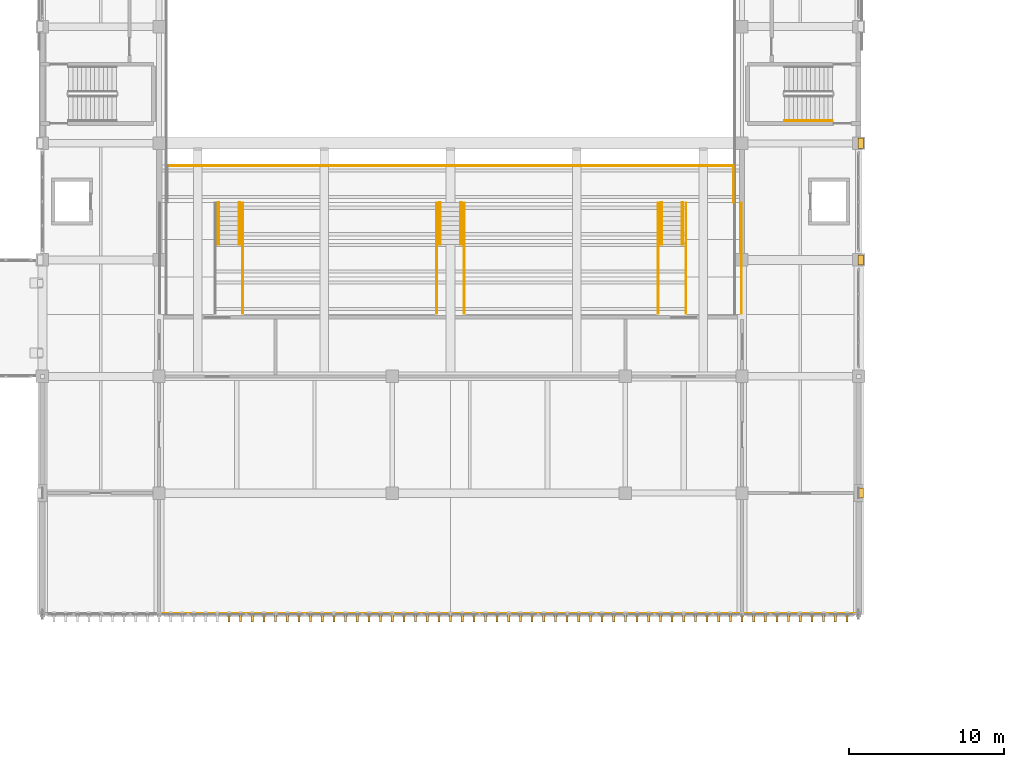
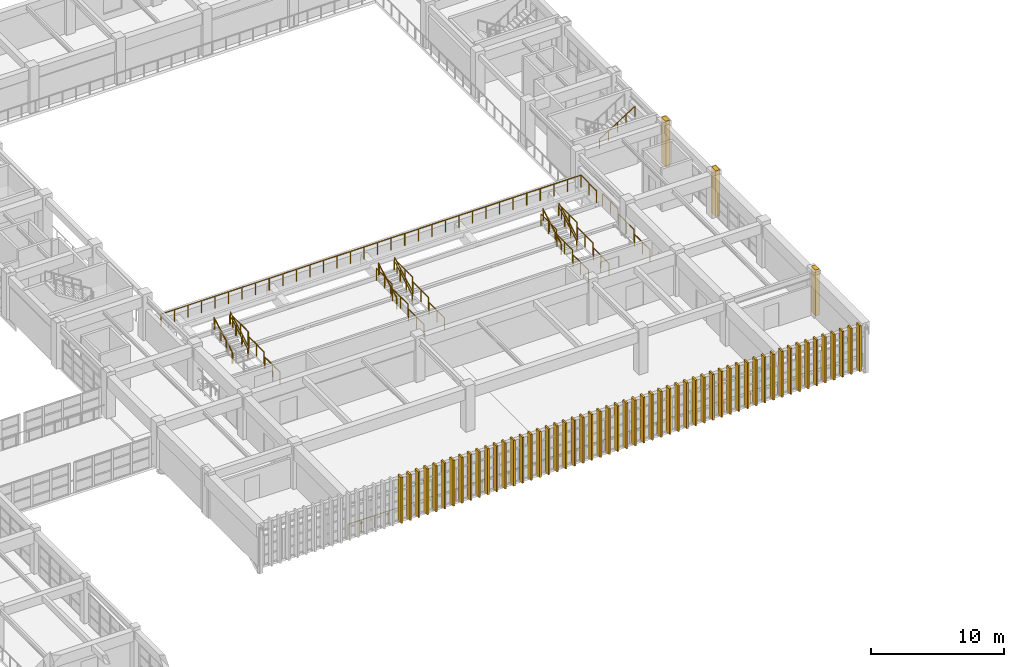
# One storey, part 115 of 124: 57 coverings, 35 railings.
"""IFC4 building model written with IfcOpenShell, lengths in metres."""

from ifc_helpers import new_model, si_unit, direction, frame, origin, origin_2d, place, context, subcontext, project, spatial, rectangle, circle, extrude, material, layer, layer_set, type_object, element, save


model = new_model("IFC4")

# Units and contexts
model_context = context("Model", 3, precision=1e-05, world=origin(), true_north=direction((0.0, 1.0)))
body_context = subcontext(model_context, "Body", "Model", "MODEL_VIEW")
ifc_project = project(units=[si_unit("LENGTHUNIT", "METRE"), si_unit("AREAUNIT", "SQUARE_METRE"), si_unit("VOLUMEUNIT", "CUBIC_METRE"), si_unit("PLANEANGLEUNIT", "RADIAN"), si_unit("MASSUNIT", "GRAM", prefix="KILO")], contexts=[model_context])

# Site, building, storey
site_placement = place(None, origin())
site = spatial("IfcSite", under=ifc_project, at=site_placement, CompositionType="ELEMENT")
building_placement = place(site_placement, origin())
building = spatial("IfcBuilding", under=site, at=building_placement, Name="Qasida Concert Hall", CompositionType="ELEMENT")
storey_placement = place(building_placement, frame((0.0, 0.0, 9.0)))
storey = spatial("IfcBuildingStorey", under=building, at=storey_placement, Name="L02", CompositionType="ELEMENT", Elevation=9.0)

# Coverings
ifc_material_1 = material(Name="Fluted ochre Lebanese limestone and patinated bronze fin", Category="masonry")
ifc_layer_1 = layer(ifc_material_1, 0.52001953125, Name="Fluted ochre Lebanese limestone and patinated bronze fin")
ifc_layer_set_1 = layer_set([ifc_layer_1], Name="Fluted ochre Lebanese limestone and patinated bronze fin")
covering_type_1 = type_object("IfcCoveringType", Name="CV-FIN-520", PredefinedType="CLADDING", material=ifc_layer_set_1)
for number, where, z_axis, x_axis, name in (
    (1, (64.5, 14.4599609375, 0.0), (0.0, 0.0, 1.0), (1.0, 0.0, 0.0), "L02 fluted facade fin FN-016"),
    (2, (65.25, 14.4599609375, 0.0), (0.0, 0.0, 1.0), (1.0, 0.0, 0.0), "L02 fluted facade fin FN-017"),
    (3, (66.0, 14.4599609375, 0.0), (0.0, 0.0, 1.0), (1.0, 0.0, 0.0), "L02 fluted facade fin FN-018"),
    (4, (66.75, 14.4599609375, 0.0), (0.0, 0.0, 1.0), (1.0, 0.0, 0.0), "L02 fluted facade fin FN-019"),
    (5, (67.5, 14.4599609375, 0.0), (0.0, 0.0, 1.0), (1.0, 0.0, 0.0), "L02 fluted facade fin FN-020"),
    (6, (68.25, 14.4599609375, 0.0), (0.0, 0.0, 1.0), (1.0, 0.0, 0.0), "L02 fluted facade fin FN-021"),
    (7, (69.0, 14.4599609375, 0.0), (0.0, 0.0, 1.0), (1.0, 0.0, 0.0), "L02 fluted facade fin FN-022"),
    (8, (69.75, 14.4599609375, 0.0), (0.0, 0.0, 1.0), (1.0, 0.0, 0.0), "L02 fluted facade fin FN-023"),
    (9, (70.5, 14.4599609375, 0.0), (0.0, 0.0, 1.0), (1.0, 0.0, 0.0), "L02 fluted facade fin FN-024"),
    (10, (71.25, 14.4599609375, 0.0), (0.0, 0.0, 1.0), (1.0, 0.0, 0.0), "L02 fluted facade fin FN-025"),
    (11, (72.0, 14.4599609375, 0.0), (0.0, 0.0, 1.0), (1.0, 0.0, 0.0), "L02 fluted facade fin FN-026"),
    (12, (72.75, 14.4599609375, 0.0), (0.0, 0.0, 1.0), (1.0, 0.0, 0.0), "L02 fluted facade fin FN-027"),
    (13, (73.5, 14.4599609375, 0.0), (0.0, 0.0, 1.0), (1.0, 0.0, 0.0), "L02 fluted facade fin FN-028"),
    (14, (74.25, 14.4599609375, 0.0), (0.0, 0.0, 1.0), (1.0, 0.0, 0.0), "L02 fluted facade fin FN-029"),
    (15, (75.0, 14.4599609375, 0.0), (0.0, 0.0, 1.0), (1.0, 0.0, 0.0), "L02 fluted facade fin FN-030"),
    (16, (75.75, 14.4599609375, 0.0), (0.0, 0.0, 1.0), (1.0, 0.0, 0.0), "L02 fluted facade fin FN-031"),
    (17, (76.5, 14.4599609375, 0.0), (0.0, 0.0, 1.0), (1.0, 0.0, 0.0), "L02 fluted facade fin FN-032"),
    (18, (77.25, 14.4599609375, 0.0), (0.0, 0.0, 1.0), (1.0, 0.0, 0.0), "L02 fluted facade fin FN-033"),
    (19, (78.0, 14.4599609375, 0.0), (0.0, 0.0, 1.0), (1.0, 0.0, 0.0), "L02 fluted facade fin FN-034"),
    (20, (78.75, 14.4599609375, 0.0), (0.0, 0.0, 1.0), (1.0, 0.0, 0.0), "L02 fluted facade fin FN-035"),
    (21, (79.5, 14.4599609375, 0.0), (0.0, 0.0, 1.0), (1.0, 0.0, 0.0), "L02 fluted facade fin FN-036"),
    (22, (80.25, 14.4599609375, 0.0), (0.0, 0.0, 1.0), (1.0, 0.0, 0.0), "L02 fluted facade fin FN-037"),
    (23, (81.0, 14.4599609375, 0.0), (0.0, 0.0, 1.0), (1.0, 0.0, 0.0), "L02 fluted facade fin FN-038"),
    (24, (81.75, 14.4599609375, 0.0), (0.0, 0.0, 1.0), (1.0, 0.0, 0.0), "L02 fluted facade fin FN-039"),
    (25, (82.5, 14.4599609375, 0.0), (0.0, 0.0, 1.0), (1.0, 0.0, 0.0), "L02 fluted facade fin FN-040"),
    (26, (83.25, 14.4599609375, 0.0), (0.0, 0.0, 1.0), (1.0, 0.0, 0.0), "L02 fluted facade fin FN-041"),
    (27, (84.0, 14.4599609375, 0.0), (0.0, 0.0, 1.0), (1.0, 0.0, 0.0), "L02 fluted facade fin FN-042"),
    (28, (84.75, 14.4599609375, 0.0), (0.0, 0.0, 1.0), (1.0, 0.0, 0.0), "L02 fluted facade fin FN-043"),
    (29, (85.5, 14.4599609375, 0.0), (0.0, 0.0, 1.0), (1.0, 0.0, 0.0), "L02 fluted facade fin FN-044"),
    (30, (86.25, 14.4599609375, 0.0), (0.0, 0.0, 1.0), (1.0, 0.0, 0.0), "L02 fluted facade fin FN-045"),
    (31, (87.0, 14.4599609375, 0.0), (0.0, 0.0, 1.0), (1.0, 0.0, 0.0), "L02 fluted facade fin FN-046"),
    (32, (87.75, 14.4599609375, 0.0), (0.0, 0.0, 1.0), (1.0, 0.0, 0.0), "L02 fluted facade fin FN-047"),
    (33, (88.5, 14.4599609375, 0.0), (0.0, 0.0, 1.0), (1.0, 0.0, 0.0), "L02 fluted facade fin FN-048"),
    (34, (89.25, 14.4599609375, 0.0), (0.0, 0.0, 1.0), (1.0, 0.0, 0.0), "L02 fluted facade fin FN-049"),
    (35, (90.0, 14.4599609375, 0.0), (0.0, 0.0, 1.0), (1.0, 0.0, 0.0), "L02 fluted facade fin FN-050"),
    (36, (90.75, 14.4599609375, 0.0), (0.0, 0.0, 1.0), (1.0, 0.0, 0.0), "L02 fluted facade fin FN-051"),
    (37, (91.5, 14.4599609375, 0.0), (0.0, 0.0, 1.0), (1.0, 0.0, 0.0), "L02 fluted facade fin FN-052"),
    (38, (92.25, 14.4599609375, 0.0), (0.0, 0.0, 1.0), (1.0, 0.0, 0.0), "L02 fluted facade fin FN-053"),
    (39, (93.0, 14.4599609375, 0.0), (0.0, 0.0, 1.0), (1.0, 0.0, 0.0), "L02 fluted facade fin FN-054"),
    (40, (93.75, 14.4599609375, 0.0), (0.0, 0.0, 1.0), (1.0, 0.0, 0.0), "L02 fluted facade fin FN-055"),
    (41, (94.5, 14.4599609375, 0.0), (0.0, 0.0, 1.0), (1.0, 0.0, 0.0), "L02 fluted facade fin FN-056"),
    (42, (95.25, 14.4599609375, 0.0), (0.0, 0.0, 1.0), (1.0, 0.0, 0.0), "L02 fluted facade fin FN-057"),
    (43, (96.0, 14.4599609375, 0.0), (0.0, 0.0, 1.0), (1.0, 0.0, 0.0), "L02 fluted facade fin FN-058"),
    (44, (96.75, 14.4599609375, 0.0), (0.0, 0.0, 1.0), (1.0, 0.0, 0.0), "L02 fluted facade fin FN-059"),
    (45, (97.5, 14.4599609375, 0.0), (0.0, 0.0, 1.0), (1.0, 0.0, 0.0), "L02 fluted facade fin FN-060"),
    (46, (98.25, 14.4599609375, 0.0), (0.0, 0.0, 1.0), (1.0, 0.0, 0.0), "L02 fluted facade fin FN-061"),
    (47, (99.0, 14.4599609375, 0.0), (0.0, 0.0, 1.0), (1.0, 0.0, 0.0), "L02 fluted facade fin FN-062"),
    (48, (99.75, 14.4599609375, 0.0), (0.0, 0.0, 1.0), (1.0, 0.0, 0.0), "L02 fluted facade fin FN-063"),
    (49, (100.5, 14.4599609375, 0.0), (0.0, 0.0, 1.0), (1.0, 0.0, 0.0), "L02 fluted facade fin FN-064"),
    (50, (101.25, 14.4599609375, 0.0), (0.0, 0.0, 1.0), (1.0, 0.0, 0.0), "L02 fluted facade fin FN-065"),
    (51, (102.0, 14.4599609375, 0.0), (0.0, 0.0, 1.0), (1.0, 0.0, 0.0), "L02 fluted facade fin FN-066"),
    (52, (102.75, 14.4599609375, 0.0), (0.0, 0.0, 1.0), (1.0, 0.0, 0.0), "L02 fluted facade fin FN-067"),
    (53, (103.5, 14.4599609375, 0.0), (0.0, 0.0, 1.0), (1.0, 0.0, 0.0), "L02 fluted facade fin FN-068"),
    (54, (104.25, 14.4599609375, 0.0), (0.0, 0.0, 1.0), (1.0, 0.0, 0.0), "L02 fluted facade fin FN-069"),
):
    element("IfcCovering", number, at=place(storey_placement, frame(where, z_axis=z_axis, x_axis=x_axis)), inside=storey, type_object=covering_type_1, Name=name, PredefinedType="CLADDING", context=body_context, shape_type="SweptSolid", body=[
        extrude(rectangle(XDim=0.139892578125, YDim=0.52001953125, at=origin_2d()), origin(), (0.0, 0.0, 1.0), 4.199951171875),
    ])
ifc_material_2 = material(Name="Projecting fluted Lebanese limestone Art Deco pilaster", Category="masonry")
ifc_layer_2 = layer(ifc_material_2, 0.35009765625, Name="Projecting fluted Lebanese limestone Art Deco pilaster")
ifc_layer_set_2 = layer_set([ifc_layer_2], Name="Projecting fluted Lebanese limestone Art Deco pilaster")
covering_type_2 = type_object("IfcCoveringType", Name="CV-PIL-650", PredefinedType="CLADDING", material=ifc_layer_set_2)
for number, where, z_axis, x_axis, name in (
    (55, (105.135009765625, 22.5, 0.0), (0.0, 0.0, 1.0), (1.0, 0.0, 0.0), "L02 fluted limestone pilaster 0010"),
    (56, (105.135009765625, 37.5, 0.0), (0.0, 0.0, 1.0), (1.0, 0.0, 0.0), "L02 fluted limestone pilaster 0024"),
    (57, (105.135009765625, 45.0, 0.0), (0.0, 0.0, 1.0), (1.0, 0.0, 0.0), "L02 fluted limestone pilaster 0038"),
):
    element("IfcCovering", number, at=place(storey_placement, frame(where, z_axis=z_axis, x_axis=x_axis)), inside=storey, type_object=covering_type_2, Name=name, PredefinedType="CLADDING", context=body_context, shape_type="SweptSolid", body=[
        extrude(rectangle(XDim=0.35009765625, YDim=0.64990234375, at=origin_2d()), origin(), (0.0, 0.0, 1.0), 4.199951171875),
    ])

# Railings
ifc_material_3 = material(Name="Carved Lebanese limestone and bronze top rail", Category="masonry")
ifc_layer_3 = layer(ifc_material_3, 0.10009765625, Name="Carved Lebanese limestone and bronze top rail")
ifc_layer_set_3 = layer_set([ifc_layer_3], Name="Carved Lebanese limestone and bronze top rail")
railing_type_1 = type_object("IfcRailingType", Name="RL-BAL-1100", PredefinedType="BALUSTRADE", material=ifc_layer_set_3)
railing_1_placement = place(storey_placement, frame((60.5400390625, 43.56005859375, 1.64990234375)))
element("IfcRailing", 58, at=railing_1_placement, inside=storey, type_object=railing_type_1, Name="L02 Symphony first balcony front rail 0062", PredefinedType="BALUSTRADE", context=body_context, shape_type="SweptSolid", body=[
    extrude(circle(Radius=0.02392578125, at=origin_2d()), frame((0.0, 0.0, 1.09619140625), z_axis=(1.0, 0.0, 0.0), x_axis=(0.0, 1.0, 0.0)), (0.0, 0.0, 1.0), 36.419921875),
    extrude(circle(Radius=0.02099609375, at=origin_2d()), origin(), (0.0, 0.0, 1.0), 1.072021484375),
    extrude(circle(Radius=0.02099609375, at=origin_2d()), frame((1.1748046875, 0.0, 0.0)), (0.0, 0.0, 1.0), 1.072021484375),
    extrude(circle(Radius=0.02099609375, at=origin_2d()), frame((2.349609375, 0.0, 0.0)), (0.0, 0.0, 1.0), 1.072021484375),
    extrude(circle(Radius=0.02099609375, at=origin_2d()), frame((3.5244140625, 0.0, 0.0)), (0.0, 0.0, 1.0), 1.072021484375),
    extrude(circle(Radius=0.02099609375, at=origin_2d()), frame((4.699462890625, 0.0, 0.0)), (0.0, 0.0, 1.0), 1.072021484375),
    extrude(circle(Radius=0.02099609375, at=origin_2d()), frame((5.874267578125, 0.0, 0.0)), (0.0, 0.0, 1.0), 1.072021484375),
    extrude(circle(Radius=0.02099609375, at=origin_2d()), frame((7.049072265625, 0.0, 0.0)), (0.0, 0.0, 1.0), 1.072021484375),
    extrude(circle(Radius=0.02099609375, at=origin_2d()), frame((8.223876953125, 0.0, 0.0)), (0.0, 0.0, 1.0), 1.072021484375),
    extrude(circle(Radius=0.02099609375, at=origin_2d()), frame((9.398681640625, 0.0, 0.0)), (0.0, 0.0, 1.0), 1.072021484375),
    extrude(circle(Radius=0.02099609375, at=origin_2d()), frame((10.573486328125, 0.0, 0.0)), (0.0, 0.0, 1.0), 1.072021484375),
    extrude(circle(Radius=0.02099609375, at=origin_2d()), frame((11.748291015625, 0.0, 0.0)), (0.0, 0.0, 1.0), 1.072021484375),
    extrude(circle(Radius=0.02099609375, at=origin_2d()), frame((12.923095703125, 0.0, 0.0)), (0.0, 0.0, 1.0), 1.072021484375),
    extrude(circle(Radius=0.02099609375, at=origin_2d()), frame((14.09814453125, 0.0, 0.0)), (0.0, 0.0, 1.0), 1.072021484375),
    extrude(circle(Radius=0.02099609375, at=origin_2d()), frame((15.27294921875, 0.0, 0.0)), (0.0, 0.0, 1.0), 1.072021484375),
    extrude(circle(Radius=0.02099609375, at=origin_2d()), frame((16.44775390625, 0.0, 0.0)), (0.0, 0.0, 1.0), 1.072021484375),
    extrude(circle(Radius=0.02099609375, at=origin_2d()), frame((17.62255859375, 0.0, 0.0)), (0.0, 0.0, 1.0), 1.072021484375),
    extrude(circle(Radius=0.02099609375, at=origin_2d()), frame((18.79736328125, 0.0, 0.0)), (0.0, 0.0, 1.0), 1.072021484375),
    extrude(circle(Radius=0.02099609375, at=origin_2d()), frame((19.97216796875, 0.0, 0.0)), (0.0, 0.0, 1.0), 1.072021484375),
    extrude(circle(Radius=0.02099609375, at=origin_2d()), frame((21.14697265625, 0.0, 0.0)), (0.0, 0.0, 1.0), 1.072021484375),
    extrude(circle(Radius=0.02099609375, at=origin_2d()), frame((22.32177734375, 0.0, 0.0)), (0.0, 0.0, 1.0), 1.072021484375),
    extrude(circle(Radius=0.02099609375, at=origin_2d()), frame((23.496826171875, 0.0, 0.0)), (0.0, 0.0, 1.0), 1.072021484375),
    extrude(circle(Radius=0.02099609375, at=origin_2d()), frame((24.671630859375, 0.0, 0.0)), (0.0, 0.0, 1.0), 1.072021484375),
    extrude(circle(Radius=0.02099609375, at=origin_2d()), frame((25.846435546875, 0.0, 0.0)), (0.0, 0.0, 1.0), 1.072021484375),
    extrude(circle(Radius=0.02099609375, at=origin_2d()), frame((27.021240234375, 0.0, 0.0)), (0.0, 0.0, 1.0), 1.072021484375),
    extrude(circle(Radius=0.02099609375, at=origin_2d()), frame((28.196044921875, 0.0, 0.0)), (0.0, 0.0, 1.0), 1.072021484375),
    extrude(circle(Radius=0.02099609375, at=origin_2d()), frame((29.370849609375, 0.0, 0.0)), (0.0, 0.0, 1.0), 1.072021484375),
    extrude(circle(Radius=0.02099609375, at=origin_2d()), frame((30.545654296875, 0.0, 0.0)), (0.0, 0.0, 1.0), 1.072021484375),
    extrude(circle(Radius=0.02099609375, at=origin_2d()), frame((31.720458984375, 0.0, 0.0)), (0.0, 0.0, 1.0), 1.072021484375),
    extrude(circle(Radius=0.02099609375, at=origin_2d()), frame((32.8955078125, 0.0, 0.0)), (0.0, 0.0, 1.0), 1.072021484375),
    extrude(circle(Radius=0.02099609375, at=origin_2d()), frame((34.0703125, 0.0, 0.0)), (0.0, 0.0, 1.0), 1.072021484375),
    extrude(circle(Radius=0.02099609375, at=origin_2d()), frame((35.2451171875, 0.0, 0.0)), (0.0, 0.0, 1.0), 1.072021484375),
    extrude(circle(Radius=0.02099609375, at=origin_2d()), frame((36.419921875, 0.0, 0.0)), (0.0, 0.0, 1.0), 1.072021484375),
])
railing_2_placement = place(storey_placement, frame((96.9599609375, 43.56005859375, 1.64990234375)))
element("IfcRailing", 59, at=railing_2_placement, inside=storey, type_object=railing_type_1, Name="L02 Symphony first balcony front rail 0063", PredefinedType="BALUSTRADE", context=body_context, shape_type="SweptSolid", body=[
    extrude(circle(Radius=0.02392578125, at=origin_2d()), frame((0.0, 0.0, 1.09619140625), z_axis=(0.0, -1.0, 0.0), x_axis=(1.0, 0.0, 0.0)), (0.0, 0.0, 1.0), 2.360107421875),
    extrude(circle(Radius=0.02099609375, at=origin_2d()), origin(), (0.0, 0.0, 1.0), 1.072021484375),
    extrude(circle(Radius=0.02099609375, at=origin_2d()), frame((0.0, -1.18017578125, 0.0)), (0.0, 0.0, 1.0), 1.072021484375),
    extrude(circle(Radius=0.02099609375, at=origin_2d()), frame((0.0, -2.360107421875, 0.0)), (0.0, 0.0, 1.0), 1.072021484375),
])
ifc_material_4 = material(Name="Patinated architectural bronze and laminated glass infill", Category="glass")
ifc_layer_4 = layer(ifc_material_4, 0.080078125, Name="Patinated architectural bronze and laminated glass infill")
ifc_layer_set_4 = layer_set([ifc_layer_4], Name="Patinated architectural bronze and laminated glass infill")
railing_type_2 = type_object("IfcRailingType", Name="RL-GRD-1100", PredefinedType="GUARDRAIL", material=ifc_layer_set_4)
railing_3_placement = place(storey_placement, frame((60.1201171875, 14.760009765625, 0.0)))
element("IfcRailing", 60, at=railing_3_placement, inside=storey, type_object=railing_type_2, Name="L02 South overhang central foyer guard 0015", PredefinedType="GUARDRAIL", context=body_context, shape_type="SweptSolid", body=[
    extrude(circle(Radius=0.02392578125, at=origin_2d()), frame((0.0, 0.0, 1.09619140625), z_axis=(1.0, 0.0, 0.0), x_axis=(0.0, 1.0, 0.0)), (0.0, 0.0, 1.0), 37.259765625),
    extrude(circle(Radius=0.02099609375, at=origin_2d()), origin(), (0.0, 0.0, 1.0), 1.072021484375),
    extrude(circle(Radius=0.02099609375, at=origin_2d()), frame((1.164306640625, 0.0, 0.0)), (0.0, 0.0, 1.0), 1.072021484375),
    extrude(circle(Radius=0.02099609375, at=origin_2d()), frame((2.32861328125, 0.0, 0.0)), (0.0, 0.0, 1.0), 1.072021484375),
    extrude(circle(Radius=0.02099609375, at=origin_2d()), frame((3.4931640625, 0.0, 0.0)), (0.0, 0.0, 1.0), 1.072021484375),
    extrude(circle(Radius=0.02099609375, at=origin_2d()), frame((4.657470703125, 0.0, 0.0)), (0.0, 0.0, 1.0), 1.072021484375),
    extrude(circle(Radius=0.02099609375, at=origin_2d()), frame((5.82177734375, 0.0, 0.0)), (0.0, 0.0, 1.0), 1.072021484375),
    extrude(circle(Radius=0.02099609375, at=origin_2d()), frame((6.986328125, 0.0, 0.0)), (0.0, 0.0, 1.0), 1.072021484375),
    extrude(circle(Radius=0.02099609375, at=origin_2d()), frame((8.150634765625, 0.0, 0.0)), (0.0, 0.0, 1.0), 1.072021484375),
    extrude(circle(Radius=0.02099609375, at=origin_2d()), frame((9.31494140625, 0.0, 0.0)), (0.0, 0.0, 1.0), 1.072021484375),
    extrude(circle(Radius=0.02099609375, at=origin_2d()), frame((10.479248046875, 0.0, 0.0)), (0.0, 0.0, 1.0), 1.072021484375),
    extrude(circle(Radius=0.02099609375, at=origin_2d()), frame((11.6435546875, 0.0, 0.0)), (0.0, 0.0, 1.0), 1.072021484375),
    extrude(circle(Radius=0.02099609375, at=origin_2d()), frame((12.80810546875, 0.0, 0.0)), (0.0, 0.0, 1.0), 1.072021484375),
    extrude(circle(Radius=0.02099609375, at=origin_2d()), frame((13.972412109375, 0.0, 0.0)), (0.0, 0.0, 1.0), 1.072021484375),
    extrude(circle(Radius=0.02099609375, at=origin_2d()), frame((15.13671875, 0.0, 0.0)), (0.0, 0.0, 1.0), 1.072021484375),
    extrude(circle(Radius=0.02099609375, at=origin_2d()), frame((16.30126953125, 0.0, 0.0)), (0.0, 0.0, 1.0), 1.072021484375),
    extrude(circle(Radius=0.02099609375, at=origin_2d()), frame((17.465576171875, 0.0, 0.0)), (0.0, 0.0, 1.0), 1.072021484375),
    extrude(circle(Radius=0.02099609375, at=origin_2d()), frame((18.6298828125, 0.0, 0.0)), (0.0, 0.0, 1.0), 1.072021484375),
    extrude(circle(Radius=0.02099609375, at=origin_2d()), frame((19.794189453125, 0.0, 0.0)), (0.0, 0.0, 1.0), 1.072021484375),
    extrude(circle(Radius=0.02099609375, at=origin_2d()), frame((20.95849609375, 0.0, 0.0)), (0.0, 0.0, 1.0), 1.072021484375),
    extrude(circle(Radius=0.02099609375, at=origin_2d()), frame((22.123046875, 0.0, 0.0)), (0.0, 0.0, 1.0), 1.072021484375),
    extrude(circle(Radius=0.02099609375, at=origin_2d()), frame((23.287353515625, 0.0, 0.0)), (0.0, 0.0, 1.0), 1.072021484375),
    extrude(circle(Radius=0.02099609375, at=origin_2d()), frame((24.45166015625, 0.0, 0.0)), (0.0, 0.0, 1.0), 1.072021484375),
    extrude(circle(Radius=0.02099609375, at=origin_2d()), frame((25.6162109375, 0.0, 0.0)), (0.0, 0.0, 1.0), 1.072021484375),
    extrude(circle(Radius=0.02099609375, at=origin_2d()), frame((26.780517578125, 0.0, 0.0)), (0.0, 0.0, 1.0), 1.072021484375),
    extrude(circle(Radius=0.02099609375, at=origin_2d()), frame((27.94482421875, 0.0, 0.0)), (0.0, 0.0, 1.0), 1.072021484375),
    extrude(circle(Radius=0.02099609375, at=origin_2d()), frame((29.109130859375, 0.0, 0.0)), (0.0, 0.0, 1.0), 1.072021484375),
    extrude(circle(Radius=0.02099609375, at=origin_2d()), frame((30.2734375, 0.0, 0.0)), (0.0, 0.0, 1.0), 1.072021484375),
    extrude(circle(Radius=0.02099609375, at=origin_2d()), frame((31.43798828125, 0.0, 0.0)), (0.0, 0.0, 1.0), 1.072021484375),
    extrude(circle(Radius=0.02099609375, at=origin_2d()), frame((32.602294921875, 0.0, 0.0)), (0.0, 0.0, 1.0), 1.072021484375),
    extrude(circle(Radius=0.02099609375, at=origin_2d()), frame((33.7666015625, 0.0, 0.0)), (0.0, 0.0, 1.0), 1.072021484375),
    extrude(circle(Radius=0.02099609375, at=origin_2d()), frame((34.93115234375, 0.0, 0.0)), (0.0, 0.0, 1.0), 1.072021484375),
    extrude(circle(Radius=0.02099609375, at=origin_2d()), frame((36.095458984375, 0.0, 0.0)), (0.0, 0.0, 1.0), 1.072021484375),
    extrude(circle(Radius=0.02099609375, at=origin_2d()), frame((37.259765625, 0.0, 0.0)), (0.0, 0.0, 1.0), 1.072021484375),
])
railing_4_placement = place(storey_placement, frame((97.6201171875, 14.760009765625, 0.0)))
element("IfcRailing", 61, at=railing_4_placement, inside=storey, type_object=railing_type_2, Name="L02 South overhang east foyer guard 0016", PredefinedType="GUARDRAIL", context=body_context, shape_type="SweptSolid", body=[
    extrude(circle(Radius=0.02392578125, at=origin_2d()), frame((0.0, 0.0, 1.09619140625), z_axis=(1.0, 0.0, 0.0), x_axis=(0.0, 1.0, 0.0)), (0.0, 0.0, 1.0), 7.179931640625),
    extrude(circle(Radius=0.02099609375, at=origin_2d()), origin(), (0.0, 0.0, 1.0), 1.072021484375),
    extrude(circle(Radius=0.02099609375, at=origin_2d()), frame((1.19677734375, 0.0, 0.0)), (0.0, 0.0, 1.0), 1.072021484375),
    extrude(circle(Radius=0.02099609375, at=origin_2d()), frame((2.393310546875, 0.0, 0.0)), (0.0, 0.0, 1.0), 1.072021484375),
    extrude(circle(Radius=0.02099609375, at=origin_2d()), frame((3.58984375, 0.0, 0.0)), (0.0, 0.0, 1.0), 1.072021484375),
    extrude(circle(Radius=0.02099609375, at=origin_2d()), frame((4.78662109375, 0.0, 0.0)), (0.0, 0.0, 1.0), 1.072021484375),
    extrude(circle(Radius=0.02099609375, at=origin_2d()), frame((5.9833984375, 0.0, 0.0)), (0.0, 0.0, 1.0), 1.072021484375),
    extrude(circle(Radius=0.02099609375, at=origin_2d()), frame((7.179931640625, 0.0, 0.0)), (0.0, 0.0, 1.0), 1.072021484375),
])
for number, where, name in (
    (62, (65.389892578125, 34.0400390625, 0.41259765625), "L02 L02 tier side guard 0070"),
    (63, (77.860107421875, 34.0400390625, 0.41259765625), "L02 L02 tier side guard 0071"),
    (64, (65.389892578125, 36.43994140625, 0.824951171875), "L02 L02 tier side guard 0072"),
    (65, (77.860107421875, 36.43994140625, 0.824951171875), "L02 L02 tier side guard 0073"),
):
    element("IfcRailing", number, at=place(storey_placement, frame(where)), inside=storey, type_object=railing_type_2, Name=name, PredefinedType="GUARDRAIL", context=body_context, shape_type="SweptSolid", body=[
        extrude(circle(Radius=0.02392578125, at=origin_2d()), frame((0.0, 0.0, 1.09619140625), z_axis=(0.0, 1.0, 0.0), x_axis=(-1.0, 0.0, 0.0)), (0.0, 0.0, 1.0), 2.320068359375),
        extrude(circle(Radius=0.02099609375, at=origin_2d()), origin(), (0.0, 0.0, 1.0), 1.072021484375),
        extrude(circle(Radius=0.02099609375, at=origin_2d()), frame((0.0, 1.16015625, 0.0)), (0.0, 0.0, 1.0), 1.072021484375),
        extrude(circle(Radius=0.02099609375, at=origin_2d()), frame((0.0, 2.320068359375, 0.0)), (0.0, 0.0, 1.0), 1.072021484375),
    ])
for number, where, name in (
    (66, (65.389892578125, 38.840087890625, 1.237548828125), "L02 L02 tier side guard 0074"),
    (67, (77.860107421875, 38.840087890625, 1.237548828125), "L02 L02 tier side guard 0075"),
):
    element("IfcRailing", number, at=place(storey_placement, frame(where)), inside=storey, type_object=railing_type_2, Name=name, PredefinedType="GUARDRAIL", context=body_context, shape_type="SweptSolid", body=[
        extrude(circle(Radius=0.02392578125, at=origin_2d()), frame((0.0, 0.0, 1.09619140625), z_axis=(0.0, 1.0, 0.0), x_axis=(-1.0, 0.0, 0.0)), (0.0, 0.0, 1.0), 2.31982421875),
        extrude(circle(Radius=0.02099609375, at=origin_2d()), origin(), (0.0, 0.0, 1.0), 1.072021484375),
        extrude(circle(Radius=0.02099609375, at=origin_2d()), frame((0.0, 1.159912109375, 0.0)), (0.0, 0.0, 1.0), 1.072021484375),
        extrude(circle(Radius=0.02099609375, at=origin_2d()), frame((0.0, 2.31982421875, 0.0)), (0.0, 0.0, 1.0), 1.072021484375),
    ])
for number, where, name in (
    (68, (79.639892578125, 34.0400390625, 0.41259765625), "L02 L02 tier side guard 0076"),
    (69, (92.110107421875, 34.0400390625, 0.41259765625), "L02 L02 tier side guard 0077"),
    (70, (79.639892578125, 36.43994140625, 0.824951171875), "L02 L02 tier side guard 0078"),
    (71, (92.110107421875, 36.43994140625, 0.824951171875), "L02 L02 tier side guard 0079"),
):
    element("IfcRailing", number, at=place(storey_placement, frame(where)), inside=storey, type_object=railing_type_2, Name=name, PredefinedType="GUARDRAIL", context=body_context, shape_type="SweptSolid", body=[
        extrude(circle(Radius=0.02392578125, at=origin_2d()), frame((0.0, 0.0, 1.09619140625), z_axis=(0.0, 1.0, 0.0), x_axis=(-1.0, 0.0, 0.0)), (0.0, 0.0, 1.0), 2.320068359375),
        extrude(circle(Radius=0.02099609375, at=origin_2d()), origin(), (0.0, 0.0, 1.0), 1.072021484375),
        extrude(circle(Radius=0.02099609375, at=origin_2d()), frame((0.0, 1.16015625, 0.0)), (0.0, 0.0, 1.0), 1.072021484375),
        extrude(circle(Radius=0.02099609375, at=origin_2d()), frame((0.0, 2.320068359375, 0.0)), (0.0, 0.0, 1.0), 1.072021484375),
    ])
for number, where, name in (
    (72, (79.639892578125, 38.840087890625, 1.237548828125), "L02 L02 tier side guard 0080"),
    (73, (92.110107421875, 38.840087890625, 1.237548828125), "L02 L02 tier side guard 0081"),
):
    element("IfcRailing", number, at=place(storey_placement, frame(where)), inside=storey, type_object=railing_type_2, Name=name, PredefinedType="GUARDRAIL", context=body_context, shape_type="SweptSolid", body=[
        extrude(circle(Radius=0.02392578125, at=origin_2d()), frame((0.0, 0.0, 1.09619140625), z_axis=(0.0, 1.0, 0.0), x_axis=(-1.0, 0.0, 0.0)), (0.0, 0.0, 1.0), 2.31982421875),
        extrude(circle(Radius=0.02099609375, at=origin_2d()), origin(), (0.0, 0.0, 1.0), 1.072021484375),
        extrude(circle(Radius=0.02099609375, at=origin_2d()), frame((0.0, 1.159912109375, 0.0)), (0.0, 0.0, 1.0), 1.072021484375),
        extrude(circle(Radius=0.02099609375, at=origin_2d()), frame((0.0, 2.31982421875, 0.0)), (0.0, 0.0, 1.0), 1.072021484375),
    ])
for number, where, name in (
    (74, (93.889892578125, 34.0400390625, 0.41259765625), "L02 L02 tier side guard 0082"),
    (75, (97.4599609375, 34.0400390625, 0.41259765625), "L02 L02 tier side guard 0083"),
    (76, (93.889892578125, 36.43994140625, 0.824951171875), "L02 L02 tier side guard 0084"),
    (77, (97.4599609375, 36.43994140625, 0.824951171875), "L02 L02 tier side guard 0085"),
):
    element("IfcRailing", number, at=place(storey_placement, frame(where)), inside=storey, type_object=railing_type_2, Name=name, PredefinedType="GUARDRAIL", context=body_context, shape_type="SweptSolid", body=[
        extrude(circle(Radius=0.02392578125, at=origin_2d()), frame((0.0, 0.0, 1.09619140625), z_axis=(0.0, 1.0, 0.0), x_axis=(-1.0, 0.0, 0.0)), (0.0, 0.0, 1.0), 2.320068359375),
        extrude(circle(Radius=0.02099609375, at=origin_2d()), origin(), (0.0, 0.0, 1.0), 1.072021484375),
        extrude(circle(Radius=0.02099609375, at=origin_2d()), frame((0.0, 1.16015625, 0.0)), (0.0, 0.0, 1.0), 1.072021484375),
        extrude(circle(Radius=0.02099609375, at=origin_2d()), frame((0.0, 2.320068359375, 0.0)), (0.0, 0.0, 1.0), 1.072021484375),
    ])
for number, where, name in (
    (78, (93.889892578125, 38.840087890625, 1.237548828125), "L02 L02 tier side guard 0086"),
    (79, (97.4599609375, 38.840087890625, 1.237548828125), "L02 L02 tier side guard 0087"),
):
    element("IfcRailing", number, at=place(storey_placement, frame(where)), inside=storey, type_object=railing_type_2, Name=name, PredefinedType="GUARDRAIL", context=body_context, shape_type="SweptSolid", body=[
        extrude(circle(Radius=0.02392578125, at=origin_2d()), frame((0.0, 0.0, 1.09619140625), z_axis=(0.0, 1.0, 0.0), x_axis=(-1.0, 0.0, 0.0)), (0.0, 0.0, 1.0), 2.31982421875),
        extrude(circle(Radius=0.02099609375, at=origin_2d()), origin(), (0.0, 0.0, 1.0), 1.072021484375),
        extrude(circle(Radius=0.02099609375, at=origin_2d()), frame((0.0, 1.159912109375, 0.0)), (0.0, 0.0, 1.0), 1.072021484375),
        extrude(circle(Radius=0.02099609375, at=origin_2d()), frame((0.0, 2.31982421875, 0.0)), (0.0, 0.0, 1.0), 1.072021484375),
    ])
for number, where, name in (
    (80, (63.800048828125, 38.5, 0.1650390625), "Vomitory stair ST-V01 guard L"),
    (81, (65.199951171875, 38.5, 0.1650390625), "Vomitory stair ST-V01 guard R"),
    (82, (92.300048828125, 38.5, 0.1650390625), "Vomitory stair ST-V02 guard L"),
    (83, (93.699951171875, 38.5, 0.1650390625), "Vomitory stair ST-V02 guard R"),
    (84, (78.050048828125, 38.5, 0.1650390625), "Vomitory stair ST-V03 guard L"),
    (85, (79.449951171875, 38.5, 0.1650390625), "Vomitory stair ST-V03 guard R"),
):
    element("IfcRailing", number, at=place(storey_placement, frame(where)), inside=storey, type_object=railing_type_2, Name=name, PredefinedType="GUARDRAIL", context=body_context, shape_type="SweptSolid", body=[
        extrude(circle(Radius=0.02392578125, at=origin_2d()), frame((0.0, 0.0, 1.09619140625), z_axis=(0.0, 0.876230963923, 0.481891375584), x_axis=(-1.0, 0.0, 0.0)), (0.0, 0.0, 1.0), 3.081298828125),
        extrude(circle(Radius=0.02099609375, at=origin_2d()), origin(), (0.0, 0.0, 1.0), 1.072021484375),
        extrude(circle(Radius=0.02099609375, at=origin_2d()), frame((0.0, 0.89990234375, 0.494873046875)), (0.0, 0.0, 1.0), 1.072021484375),
        extrude(circle(Radius=0.02099609375, at=origin_2d()), frame((0.0, 1.800048828125, 0.989990234375)), (0.0, 0.0, 1.0), 1.072021484375),
        extrude(circle(Radius=0.02099609375, at=origin_2d()), frame((0.0, 2.699951171875, 1.48486328125)), (0.0, 0.0, 1.0), 1.072021484375),
    ])
ifc_material_5 = material(Name="Patinated tubular architectural bronze", Category="steel")
ifc_layer_5 = layer(ifc_material_5, 0.050048828125, Name="Patinated tubular architectural bronze")
ifc_layer_set_5 = layer_set([ifc_layer_5], Name="Patinated tubular architectural bronze")
railing_type_3 = type_object("IfcRailingType", Name="RL-HND-900", PredefinedType="HANDRAIL", material=ifc_layer_set_5)
railing_5_placement = place(storey_placement, frame((100.239990234375, 46.449951171875, 2.27490234375)))
element("IfcRailing", 86, at=railing_5_placement, inside=storey, type_object=railing_type_3, Name="L02 ST-02 stair handrail 2", PredefinedType="HANDRAIL", context=body_context, shape_type="SweptSolid", body=[
    extrude(circle(Radius=0.02392578125, at=origin_2d()), frame((0.0, 0.0, 0.8759765625), z_axis=(0.847998304005, 0.0, 0.529998940003), x_axis=(0.0, 1.0, 0.0)), (0.0, 0.0, 1.0), 3.632080078125),
    extrude(circle(Radius=0.02099609375, at=origin_2d()), origin(), (0.0, 0.0, 1.0), 0.851806640625),
    extrude(circle(Radius=0.02099609375, at=origin_2d()), frame((0.77001953125, 0.0, 0.481201171875)), (0.0, 0.0, 1.0), 0.851806640625),
    extrude(circle(Radius=0.02099609375, at=origin_2d()), frame((1.5400390625, 0.0, 0.96240234375)), (0.0, 0.0, 1.0), 0.851806640625),
    extrude(circle(Radius=0.02099609375, at=origin_2d()), frame((2.31005859375, 0.0, 1.44384765625)), (0.0, 0.0, 1.0), 0.851806640625),
    extrude(circle(Radius=0.02099609375, at=origin_2d()), frame((3.080078125, 0.0, 1.925048828125)), (0.0, 0.0, 1.0), 0.851806640625),
])
for number, where, name in (
    (87, (63.860107421875, 38.5, 0.1650390625), "Vomitory stair ST-V01 handrail L"),
    (88, (65.139892578125, 38.5, 0.1650390625), "Vomitory stair ST-V01 handrail R"),
    (89, (92.360107421875, 38.5, 0.1650390625), "Vomitory stair ST-V02 handrail L"),
    (90, (93.639892578125, 38.5, 0.1650390625), "Vomitory stair ST-V02 handrail R"),
    (91, (78.110107421875, 38.5, 0.1650390625), "Vomitory stair ST-V03 handrail L"),
    (92, (79.389892578125, 38.5, 0.1650390625), "Vomitory stair ST-V03 handrail R"),
):
    element("IfcRailing", number, at=place(storey_placement, frame(where)), inside=storey, type_object=railing_type_3, Name=name, PredefinedType="HANDRAIL", context=body_context, shape_type="SweptSolid", body=[
        extrude(circle(Radius=0.02392578125, at=origin_2d()), frame((0.0, 0.0, 0.8759765625), z_axis=(0.0, 0.876230963923, 0.481891375584), x_axis=(-1.0, 0.0, 0.0)), (0.0, 0.0, 1.0), 3.081298828125),
        extrude(circle(Radius=0.02099609375, at=origin_2d()), origin(), (0.0, 0.0, 1.0), 0.851806640625),
        extrude(circle(Radius=0.02099609375, at=origin_2d()), frame((0.0, 0.89990234375, 0.494873046875)), (0.0, 0.0, 1.0), 0.851806640625),
        extrude(circle(Radius=0.02099609375, at=origin_2d()), frame((0.0, 1.800048828125, 0.989990234375)), (0.0, 0.0, 1.0), 0.851806640625),
        extrude(circle(Radius=0.02099609375, at=origin_2d()), frame((0.0, 2.699951171875, 1.48486328125)), (0.0, 0.0, 1.0), 0.851806640625),
    ])

save(model, "model.ifc")
